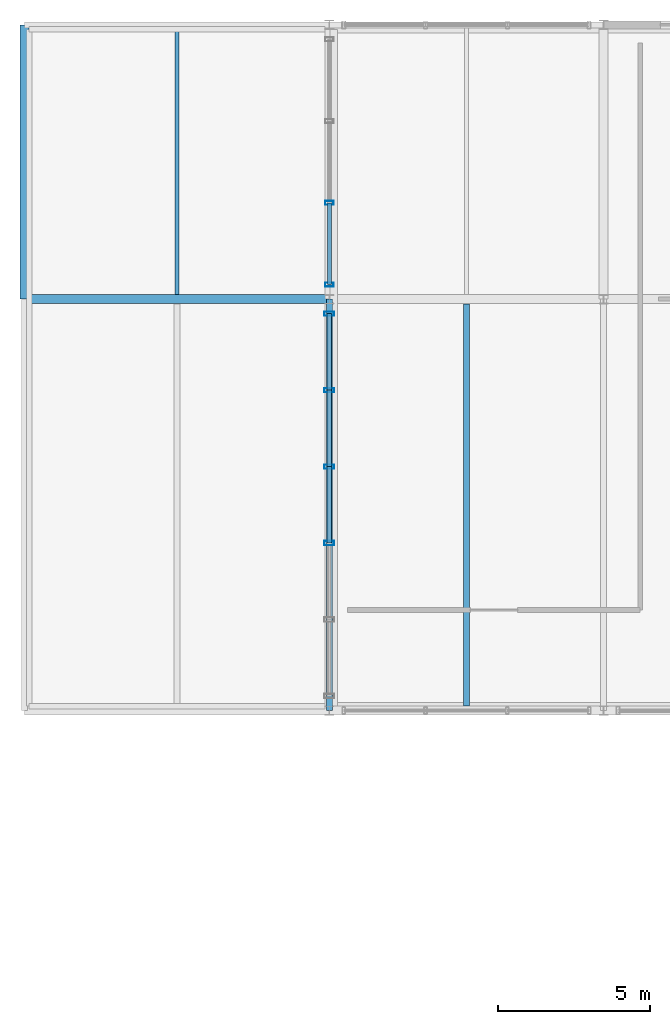
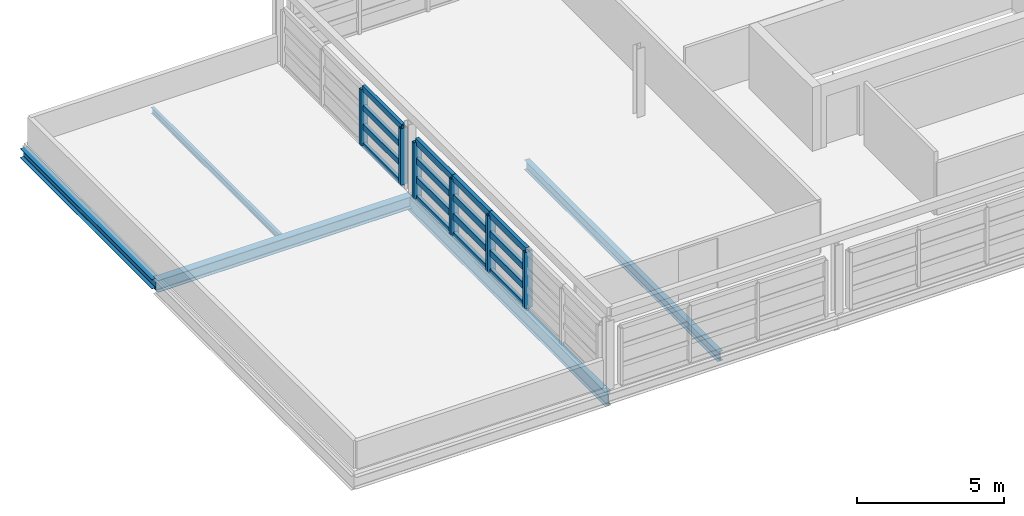
# One storey, part 13 of 27: 22 members, 5 beams, 2 elements without a shape of their own.
"""IFC4 building model written with IfcOpenShell, lengths in metres."""

from ifc_helpers import new_model, si_unit, direction, frame, origin, origin_2d, place, context, subcontext, project, spatial, hollow_rectangle, i_section, extrude, material, material_profile, profile_set, type_object, element, aggregate, save


model = new_model("IFC4")

# Units and contexts
model_context = context("Model", 3, precision=1e-05, world=origin(), true_north=direction((0.0, 1.0)))
body_context = subcontext(model_context, "Body", "Model", "MODEL_VIEW")
ifc_project = project(units=[si_unit("LENGTHUNIT", "METRE"), si_unit("AREAUNIT", "SQUARE_METRE"), si_unit("VOLUMEUNIT", "CUBIC_METRE"), si_unit("PLANEANGLEUNIT", "RADIAN"), si_unit("MASSUNIT", "GRAM", prefix="KILO")], contexts=[model_context])

# Site, building, storey
site_placement = place(None, origin())
site = spatial("IfcSite", under=ifc_project, at=site_placement, CompositionType="ELEMENT")
building_placement = place(site_placement, origin())
building = spatial("IfcBuilding", under=site, at=building_placement, Name="Chuanluo Vaults Station", CompositionType="ELEMENT")
storey_placement = place(building_placement, frame((0.0, 0.0, 20.800048828125)))
storey = spatial("IfcBuildingStorey", under=building, at=storey_placement, Name="L05", CompositionType="ELEMENT", Elevation=20.800048828125)

# Beams
ifc_material_1 = material(Name="Steel Q355C", Category="steel")
ifc_material_profile_1 = material_profile(ifc_material_1, i_section(OverallWidth=0.300048828125, OverallDepth=0.389892578125, WebThickness=0.010009765625, FlangeThickness=0.01611328125, FilletRadius=0.02001953125, at=origin_2d()))
ifc_profile_set_1 = profile_set([ifc_material_profile_1], Name="Steel Q355C")
beam_type_1 = type_object("IfcBeamType", Name="BM-GRD-400", PredefinedType="BEAM", material=ifc_profile_set_1)
beam_1_placement = place(storey_placement, frame((126.0, 117.0, -0.360107421875), z_axis=(0.0, 1.0, 0.0), x_axis=(-1.0, 0.0, 0.0)))
element("IfcBeam", 1, at=beam_1_placement, inside=storey, type_object=beam_type_1, Name="Floor girder BM:GY:L05:0986", PredefinedType="BEAM", context=body_context, shape_type="SweptSolid", body=[
    extrude(i_section(OverallWidth=0.300048828125, OverallDepth=0.389892578125, WebThickness=0.010009765625, FlangeThickness=0.01611328125, FilletRadius=0.02001953125, at=origin_2d()), origin(), (0.0, 0.0, 1.0), 9.0),
])
ifc_material_2 = material(Name="Steel Q355C", Category="steel")
ifc_material_profile_2 = material_profile(ifc_material_2, i_section(OverallWidth=0.300048828125, OverallDepth=0.5, WebThickness=0.010986328125, FlangeThickness=0.01806640625, FilletRadius=0.02001953125, at=origin_2d()))
ifc_profile_set_2 = profile_set([ifc_material_profile_2], Name="Steel Q355C")
beam_type_2 = type_object("IfcBeamType", Name="BM-GRD-500", PredefinedType="USERDEFINED", material=ifc_profile_set_2)
beam_2_placement = place(storey_placement, frame((126.0, 117.0, -0.4150390625), z_axis=(1.0, 0.0, 0.0), x_axis=(0.0, 1.0, 0.0)))
element("IfcBeam", 2, at=beam_2_placement, inside=storey, type_object=beam_type_2, Name="Floor girder BM:GX:L05:0972", ObjectType="GIRDER", PredefinedType="USERDEFINED", context=body_context, shape_type="SweptSolid", body=[
    extrude(i_section(OverallWidth=0.300048828125, OverallDepth=0.5, WebThickness=0.010986328125, FlangeThickness=0.01806640625, FilletRadius=0.02001953125, at=origin_2d()), origin(), (0.0, 0.0, 1.0), 10.0),
])
ifc_material_3 = material(Name="Steel Q355C", Category="steel")
ifc_material_profile_3 = material_profile(ifc_material_3, i_section(OverallWidth=0.199951171875, OverallDepth=0.60009765625, WebThickness=0.010986328125, FlangeThickness=0.01708984375, FilletRadius=0.01806640625, at=origin_2d()))
ifc_profile_set_3 = profile_set([ifc_material_profile_3], Name="Steel Q355C")
beam_type_3 = type_object("IfcBeamType", Name="BM-GRD-600", PredefinedType="USERDEFINED", material=ifc_profile_set_3)
beam_3_placement = place(storey_placement, frame((136.0, 103.5, -0.47998046875), z_axis=(0.0, 1.0, 0.0), x_axis=(-1.0, 0.0, 0.0)))
element("IfcBeam", 3, at=beam_3_placement, inside=storey, type_object=beam_type_3, Name="Floor girder BM:GY:L05:0987", ObjectType="GIRDER", PredefinedType="USERDEFINED", context=body_context, shape_type="SweptSolid", body=[
    extrude(i_section(OverallWidth=0.199951171875, OverallDepth=0.60009765625, WebThickness=0.010986328125, FlangeThickness=0.01708984375, FilletRadius=0.01806640625, at=origin_2d()), origin(), (0.0, 0.0, 1.0), 13.5),
])
ifc_material_4 = material(Name="Steel Q355C", Category="steel")
ifc_material_profile_4 = material_profile(ifc_material_4, i_section(OverallWidth=0.125, OverallDepth=0.25, WebThickness=0.006103515625, FlangeThickness=0.009033203125, FilletRadius=0.011962890625, at=origin_2d()))
ifc_profile_set_4 = profile_set([ifc_material_profile_4], Name="Steel Q355C")
beam_type_4 = type_object("IfcBeamType", Name="BM-SEC-250", PredefinedType="JOIST", material=ifc_profile_set_4)
beam_4_placement = place(storey_placement, frame((131.0, 117.155029296875, -0.2900390625), z_axis=(0.0, 1.0, 0.0), x_axis=(-1.0, 0.0, 0.0)))
element("IfcBeam", 4, at=beam_4_placement, inside=storey, type_object=beam_type_4, Name="Composite secondary joist 0295", PredefinedType="JOIST", context=body_context, shape_type="SweptSolid", body=[
    extrude(i_section(OverallWidth=0.125, OverallDepth=0.25, WebThickness=0.006103515625, FlangeThickness=0.009033203125, FilletRadius=0.011962890625, at=origin_2d()), origin(), (0.0, 0.0, 1.0), 8.737548828125),
])
ifc_material_5 = material(Name="Steel Q355C", Category="steel")
ifc_material_profile_5 = material_profile(ifc_material_5, i_section(OverallWidth=0.199951171875, OverallDepth=0.39990234375, WebThickness=0.008056640625, FlangeThickness=0.012939453125, FilletRadius=0.01611328125, at=origin_2d()))
ifc_profile_set_5 = profile_set([ifc_material_profile_5], Name="Steel Q355C")
beam_type_5 = type_object("IfcBeamType", Name="BM-SEC-400", PredefinedType="BEAM", material=ifc_profile_set_5)
beam_5_placement = place(storey_placement, frame((140.5, 103.655029296875, -0.380126953125), z_axis=(0.0, 1.0, 0.0), x_axis=(-1.0, 0.0, 0.0)))
element("IfcBeam", 5, at=beam_5_placement, inside=storey, type_object=beam_type_5, Name="Composite secondary joist 0296", PredefinedType="BEAM", context=body_context, shape_type="SweptSolid", body=[
    extrude(i_section(OverallWidth=0.199951171875, OverallDepth=0.39990234375, WebThickness=0.008056640625, FlangeThickness=0.012939453125, FilletRadius=0.01611328125, at=origin_2d()), origin(), (0.0, 0.0, 1.0), 13.18994140625),
])

# Curtain wall, members
ifc_material_6 = material(Name="Anodised aluminium 6063-T6", Category="aluminium")
curtain_wall_type_1 = type_object("IfcCurtainWallType", Name="CW-SYS-26", PredefinedType="NOTDEFINED", material=ifc_material_6)
curtain_wall_1_placement = place(storey_placement, origin())
curtain_wall_1 = element("IfcCurtainWall", 6, at=curtain_wall_1_placement, inside=storey, type_object=curtain_wall_type_1, Name="Operations L05 facade CW", PredefinedType="NOTDEFINED")
ifc_material_7 = material(Name="Anodised aluminium 6063-T6", Category="aluminium")
ifc_material_profile_6 = material_profile(ifc_material_7, hollow_rectangle(XDim=0.1298828125, YDim=0.280029296875, WallThickness=0.007080078125, at=origin_2d()))
ifc_profile_set_6 = profile_set([ifc_material_profile_6], Name="Anodised aluminium 6063-T6")
member_type_1 = type_object("IfcMemberType", Name="CWM-180", PredefinedType="MULLION", material=ifc_profile_set_6)
member_1_placement = place(storey_placement, frame((136.0, 117.47509765625, 0.0), z_axis=(0.0, 0.0, 1.0), x_axis=(0.0, 1.0, 0.0)))
member_1 = element("IfcMember", 7, at=member_1_placement, type_object=member_type_1, Name="Operations L05 facade CW mullion 1", PredefinedType="MULLION", context=body_context, shape_type="SweptSolid", body=[
    extrude(hollow_rectangle(XDim=0.1298828125, YDim=0.280029296875, WallThickness=0.007080078125, at=origin_2d()), origin(), (0.0, 0.0, 1.0), 2.349853515625),
])
member_2_placement = place(storey_placement, frame((136.0, 120.158203125, 0.0), z_axis=(0.0, 0.0, 1.0), x_axis=(0.0, 1.0, 0.0)))
member_2 = element("IfcMember", 8, at=member_2_placement, type_object=member_type_1, Name="Operations L05 facade CW mullion 2", PredefinedType="MULLION", context=body_context, shape_type="SweptSolid", body=[
    extrude(hollow_rectangle(XDim=0.1298828125, YDim=0.280029296875, WallThickness=0.007080078125, at=origin_2d()), origin(), (0.0, 0.0, 1.0), 2.349853515625),
])

ifc_material_8 = material(Name="Anodised aluminium 6063-T6", Category="aluminium")
curtain_wall_type_2 = type_object("IfcCurtainWallType", Name="CW-SYS-25", PredefinedType="NOTDEFINED", material=ifc_material_8)
curtain_wall_2_placement = place(storey_placement, origin())
curtain_wall_2 = element("IfcCurtainWall", 9, at=curtain_wall_2_placement, inside=storey, type_object=curtain_wall_type_2, Name="Operations L05 facade CW", PredefinedType="NOTDEFINED")
ifc_material_9 = material(Name="Anodised aluminium 6063-T6", Category="aluminium")
ifc_material_profile_7 = material_profile(ifc_material_9, hollow_rectangle(XDim=0.139892578125, YDim=0.320068359375, WallThickness=0.008056640625, at=origin_2d()))
ifc_profile_set_7 = profile_set([ifc_material_profile_7], Name="Anodised aluminium 6063-T6")
member_type_2 = type_object("IfcMemberType", Name="CWM-220", PredefinedType="MULLION", material=ifc_profile_set_7)
member_3_placement = place(storey_placement, frame((136.0, 108.9951171875, 0.0), z_axis=(0.0, 0.0, 1.0), x_axis=(0.0, 1.0, 0.0)))
member_3 = element("IfcMember", 10, at=member_3_placement, type_object=member_type_2, Name="Operations L05 facade CW mullion 3", PredefinedType="MULLION", context=body_context, shape_type="SweptSolid", body=[
    extrude(hollow_rectangle(XDim=0.139892578125, YDim=0.320068359375, WallThickness=0.008056640625, at=origin_2d()), origin(), (0.0, 0.0, 1.0), 2.349853515625),
])
member_4_placement = place(storey_placement, frame((136.0, 111.5048828125, 0.0), z_axis=(0.0, 0.0, 1.0), x_axis=(0.0, 1.0, 0.0)))
member_4 = element("IfcMember", 11, at=member_4_placement, type_object=member_type_2, Name="Operations L05 facade CW mullion 4", PredefinedType="MULLION", context=body_context, shape_type="SweptSolid", body=[
    extrude(hollow_rectangle(XDim=0.139892578125, YDim=0.320068359375, WallThickness=0.008056640625, at=origin_2d()), origin(), (0.0, 0.0, 1.0), 2.349853515625),
])
member_5_placement = place(storey_placement, frame((136.0, 114.014892578125, 0.0), z_axis=(0.0, 0.0, 1.0), x_axis=(0.0, 1.0, 0.0)))
member_5 = element("IfcMember", 12, at=member_5_placement, type_object=member_type_2, Name="Operations L05 facade CW mullion 5", PredefinedType="MULLION", context=body_context, shape_type="SweptSolid", body=[
    extrude(hollow_rectangle(XDim=0.139892578125, YDim=0.320068359375, WallThickness=0.008056640625, at=origin_2d()), origin(), (0.0, 0.0, 1.0), 2.349853515625),
])
member_6_placement = place(storey_placement, frame((136.0, 116.52490234375, 0.0), z_axis=(0.0, 0.0, 1.0), x_axis=(0.0, 1.0, 0.0)))
member_6 = element("IfcMember", 13, at=member_6_placement, type_object=member_type_2, Name="Operations L05 facade CW mullion 6", PredefinedType="MULLION", context=body_context, shape_type="SweptSolid", body=[
    extrude(hollow_rectangle(XDim=0.139892578125, YDim=0.320068359375, WallThickness=0.008056640625, at=origin_2d()), origin(), (0.0, 0.0, 1.0), 2.349853515625),
])

# Member
ifc_material_10 = material(Name="Anodised aluminium 6063-T6", Category="aluminium")
ifc_material_profile_8 = material_profile(ifc_material_10, hollow_rectangle(XDim=0.1298828125, YDim=0.22998046875, WallThickness=0.006103515625, at=origin_2d()))
ifc_profile_set_8 = profile_set([ifc_material_profile_8], Name="Anodised aluminium 6063-T6")
member_type_3 = type_object("IfcMemberType", Name="CWT-150", PredefinedType="USERDEFINED", material=ifc_profile_set_8)
member_7_placement = place(storey_placement, frame((136.0, 117.47509765625, 0.0), z_axis=(0.0, 1.0, 0.0), x_axis=(-1.0, 0.0, 0.0)))
member_7 = element("IfcMember", 14, at=member_7_placement, type_object=member_type_3, Name="Operations L05 facade CW transom 1.1", ObjectType="TRANSOM", PredefinedType="USERDEFINED", context=body_context, shape_type="SweptSolid", body=[
    extrude(hollow_rectangle(XDim=0.1298828125, YDim=0.22998046875, WallThickness=0.006103515625, at=origin_2d()), origin(), (0.0, 0.0, 1.0), 2.68310546875),
])

member_8_placement = place(storey_placement, frame((136.0, 117.47509765625, 0.783203125), z_axis=(0.0, 1.0, 0.0), x_axis=(-1.0, 0.0, 0.0)))
member_8 = element("IfcMember", 15, at=member_8_placement, type_object=member_type_3, Name="Operations L05 facade CW transom 1.2", ObjectType="TRANSOM", PredefinedType="USERDEFINED", context=body_context, shape_type="SweptSolid", body=[
    extrude(hollow_rectangle(XDim=0.1298828125, YDim=0.22998046875, WallThickness=0.006103515625, at=origin_2d()), origin(), (0.0, 0.0, 1.0), 2.68310546875),
])

member_9_placement = place(storey_placement, frame((136.0, 117.47509765625, 1.566650390625), z_axis=(0.0, 1.0, 0.0), x_axis=(-1.0, 0.0, 0.0)))
member_9 = element("IfcMember", 16, at=member_9_placement, type_object=member_type_3, Name="Operations L05 facade CW transom 1.3", ObjectType="TRANSOM", PredefinedType="USERDEFINED", context=body_context, shape_type="SweptSolid", body=[
    extrude(hollow_rectangle(XDim=0.1298828125, YDim=0.22998046875, WallThickness=0.006103515625, at=origin_2d()), origin(), (0.0, 0.0, 1.0), 2.68310546875),
])

member_10_placement = place(storey_placement, frame((136.0, 117.47509765625, 2.349853515625), z_axis=(0.0, 1.0, 0.0), x_axis=(-1.0, 0.0, 0.0)))
member_10 = element("IfcMember", 17, at=member_10_placement, type_object=member_type_3, Name="Operations L05 facade CW transom 1.4", ObjectType="TRANSOM", PredefinedType="USERDEFINED", context=body_context, shape_type="SweptSolid", body=[
    extrude(hollow_rectangle(XDim=0.1298828125, YDim=0.22998046875, WallThickness=0.006103515625, at=origin_2d()), origin(), (0.0, 0.0, 1.0), 2.68310546875),
])

aggregate(curtain_wall_1, [member_1, member_2, member_7, member_8, member_9, member_10])

ifc_material_11 = material(Name="Anodised aluminium 6063-T6", Category="aluminium")
ifc_material_profile_9 = material_profile(ifc_material_11, hollow_rectangle(XDim=0.139892578125, YDim=0.260009765625, WallThickness=0.007080078125, at=origin_2d()))
ifc_profile_set_9 = profile_set([ifc_material_profile_9], Name="Anodised aluminium 6063-T6")
member_type_4 = type_object("IfcMemberType", Name="CWT-180", PredefinedType="USERDEFINED", material=ifc_profile_set_9)
member_11_placement = place(storey_placement, frame((136.0, 108.9951171875, 0.0), z_axis=(0.0, 1.0, 0.0), x_axis=(-1.0, 0.0, 0.0)))
member_11 = element("IfcMember", 18, at=member_11_placement, type_object=member_type_4, Name="Operations L05 facade CW transom 3.1", ObjectType="TRANSOM", PredefinedType="USERDEFINED", context=body_context, shape_type="SweptSolid", body=[
    extrude(hollow_rectangle(XDim=0.139892578125, YDim=0.260009765625, WallThickness=0.007080078125, at=origin_2d()), origin(), (0.0, 0.0, 1.0), 2.509765625),
])

member_12_placement = place(storey_placement, frame((136.0, 108.9951171875, 0.783203125), z_axis=(0.0, 1.0, 0.0), x_axis=(-1.0, 0.0, 0.0)))
member_12 = element("IfcMember", 19, at=member_12_placement, type_object=member_type_4, Name="Operations L05 facade CW transom 3.2", ObjectType="TRANSOM", PredefinedType="USERDEFINED", context=body_context, shape_type="SweptSolid", body=[
    extrude(hollow_rectangle(XDim=0.139892578125, YDim=0.260009765625, WallThickness=0.007080078125, at=origin_2d()), origin(), (0.0, 0.0, 1.0), 2.509765625),
])

member_13_placement = place(storey_placement, frame((136.0, 108.9951171875, 1.566650390625), z_axis=(0.0, 1.0, 0.0), x_axis=(-1.0, 0.0, 0.0)))
member_13 = element("IfcMember", 20, at=member_13_placement, type_object=member_type_4, Name="Operations L05 facade CW transom 3.3", ObjectType="TRANSOM", PredefinedType="USERDEFINED", context=body_context, shape_type="SweptSolid", body=[
    extrude(hollow_rectangle(XDim=0.139892578125, YDim=0.260009765625, WallThickness=0.007080078125, at=origin_2d()), origin(), (0.0, 0.0, 1.0), 2.509765625),
])

member_14_placement = place(storey_placement, frame((136.0, 108.9951171875, 2.349853515625), z_axis=(0.0, 1.0, 0.0), x_axis=(-1.0, 0.0, 0.0)))
member_14 = element("IfcMember", 21, at=member_14_placement, type_object=member_type_4, Name="Operations L05 facade CW transom 3.4", ObjectType="TRANSOM", PredefinedType="USERDEFINED", context=body_context, shape_type="SweptSolid", body=[
    extrude(hollow_rectangle(XDim=0.139892578125, YDim=0.260009765625, WallThickness=0.007080078125, at=origin_2d()), origin(), (0.0, 0.0, 1.0), 2.509765625),
])

member_15_placement = place(storey_placement, frame((136.0, 111.5048828125, 0.0), z_axis=(0.0, 1.0, 0.0), x_axis=(-1.0, 0.0, 0.0)))
member_15 = element("IfcMember", 22, at=member_15_placement, type_object=member_type_4, Name="Operations L05 facade CW transom 4.1", ObjectType="TRANSOM", PredefinedType="USERDEFINED", context=body_context, shape_type="SweptSolid", body=[
    extrude(hollow_rectangle(XDim=0.139892578125, YDim=0.260009765625, WallThickness=0.007080078125, at=origin_2d()), origin(), (0.0, 0.0, 1.0), 2.510009765625),
])

member_16_placement = place(storey_placement, frame((136.0, 111.5048828125, 0.783203125), z_axis=(0.0, 1.0, 0.0), x_axis=(-1.0, 0.0, 0.0)))
member_16 = element("IfcMember", 23, at=member_16_placement, type_object=member_type_4, Name="Operations L05 facade CW transom 4.2", ObjectType="TRANSOM", PredefinedType="USERDEFINED", context=body_context, shape_type="SweptSolid", body=[
    extrude(hollow_rectangle(XDim=0.139892578125, YDim=0.260009765625, WallThickness=0.007080078125, at=origin_2d()), origin(), (0.0, 0.0, 1.0), 2.510009765625),
])

member_17_placement = place(storey_placement, frame((136.0, 111.5048828125, 1.566650390625), z_axis=(0.0, 1.0, 0.0), x_axis=(-1.0, 0.0, 0.0)))
member_17 = element("IfcMember", 24, at=member_17_placement, type_object=member_type_4, Name="Operations L05 facade CW transom 4.3", ObjectType="TRANSOM", PredefinedType="USERDEFINED", context=body_context, shape_type="SweptSolid", body=[
    extrude(hollow_rectangle(XDim=0.139892578125, YDim=0.260009765625, WallThickness=0.007080078125, at=origin_2d()), origin(), (0.0, 0.0, 1.0), 2.510009765625),
])

member_18_placement = place(storey_placement, frame((136.0, 111.5048828125, 2.349853515625), z_axis=(0.0, 1.0, 0.0), x_axis=(-1.0, 0.0, 0.0)))
member_18 = element("IfcMember", 25, at=member_18_placement, type_object=member_type_4, Name="Operations L05 facade CW transom 4.4", ObjectType="TRANSOM", PredefinedType="USERDEFINED", context=body_context, shape_type="SweptSolid", body=[
    extrude(hollow_rectangle(XDim=0.139892578125, YDim=0.260009765625, WallThickness=0.007080078125, at=origin_2d()), origin(), (0.0, 0.0, 1.0), 2.510009765625),
])

member_19_placement = place(storey_placement, frame((136.0, 114.014892578125, 0.0), z_axis=(0.0, 1.0, 0.0), x_axis=(-1.0, 0.0, 0.0)))
member_19 = element("IfcMember", 26, at=member_19_placement, type_object=member_type_4, Name="Operations L05 facade CW transom 5.1", ObjectType="TRANSOM", PredefinedType="USERDEFINED", context=body_context, shape_type="SweptSolid", body=[
    extrude(hollow_rectangle(XDim=0.139892578125, YDim=0.260009765625, WallThickness=0.007080078125, at=origin_2d()), origin(), (0.0, 0.0, 1.0), 2.510009765625),
])

member_20_placement = place(storey_placement, frame((136.0, 114.014892578125, 0.783203125), z_axis=(0.0, 1.0, 0.0), x_axis=(-1.0, 0.0, 0.0)))
member_20 = element("IfcMember", 27, at=member_20_placement, type_object=member_type_4, Name="Operations L05 facade CW transom 5.2", ObjectType="TRANSOM", PredefinedType="USERDEFINED", context=body_context, shape_type="SweptSolid", body=[
    extrude(hollow_rectangle(XDim=0.139892578125, YDim=0.260009765625, WallThickness=0.007080078125, at=origin_2d()), origin(), (0.0, 0.0, 1.0), 2.510009765625),
])

member_21_placement = place(storey_placement, frame((136.0, 114.014892578125, 1.566650390625), z_axis=(0.0, 1.0, 0.0), x_axis=(-1.0, 0.0, 0.0)))
member_21 = element("IfcMember", 28, at=member_21_placement, type_object=member_type_4, Name="Operations L05 facade CW transom 5.3", ObjectType="TRANSOM", PredefinedType="USERDEFINED", context=body_context, shape_type="SweptSolid", body=[
    extrude(hollow_rectangle(XDim=0.139892578125, YDim=0.260009765625, WallThickness=0.007080078125, at=origin_2d()), origin(), (0.0, 0.0, 1.0), 2.510009765625),
])

member_22_placement = place(storey_placement, frame((136.0, 114.014892578125, 2.349853515625), z_axis=(0.0, 1.0, 0.0), x_axis=(-1.0, 0.0, 0.0)))
member_22 = element("IfcMember", 29, at=member_22_placement, type_object=member_type_4, Name="Operations L05 facade CW transom 5.4", ObjectType="TRANSOM", PredefinedType="USERDEFINED", context=body_context, shape_type="SweptSolid", body=[
    extrude(hollow_rectangle(XDim=0.139892578125, YDim=0.260009765625, WallThickness=0.007080078125, at=origin_2d()), origin(), (0.0, 0.0, 1.0), 2.510009765625),
])

aggregate(curtain_wall_2, [member_3, member_4, member_5, member_6, member_11, member_12, member_13, member_14, member_15, member_16, member_17, member_18, member_19, member_20, member_21, member_22])

save(model, "model.ifc")
